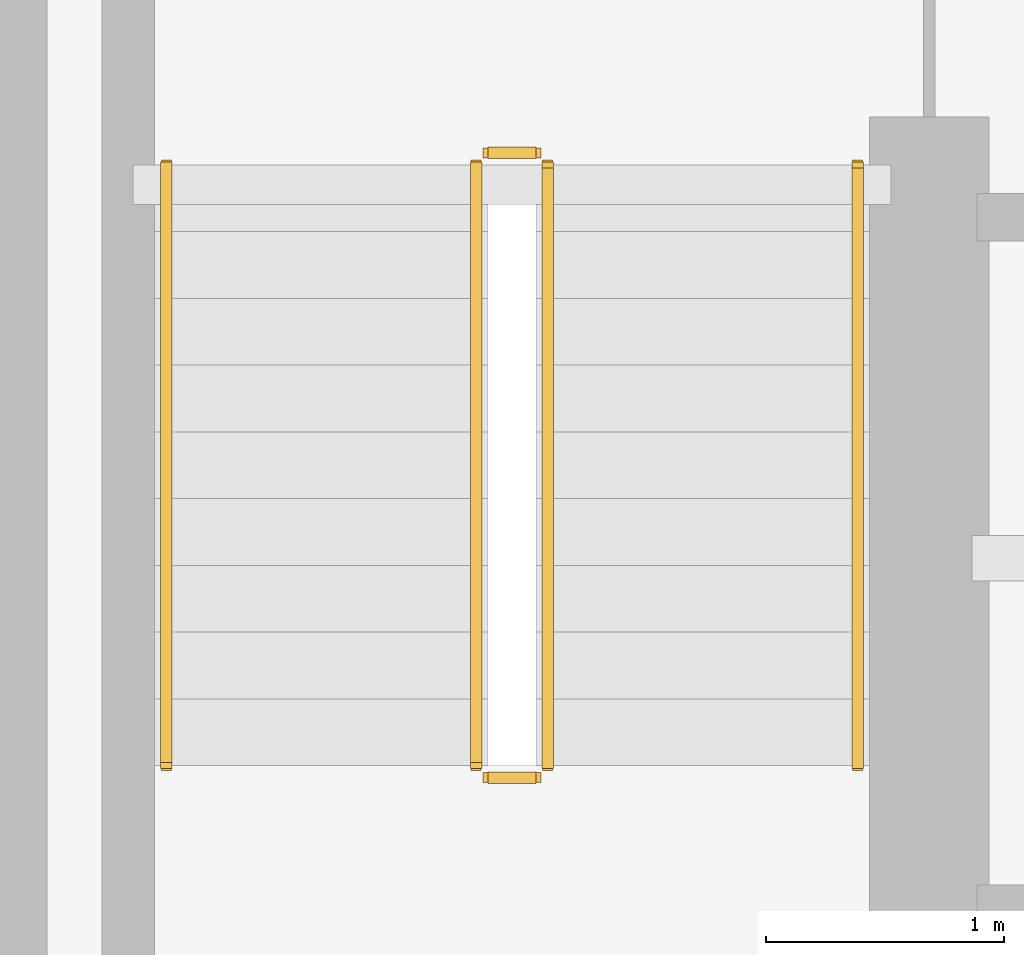
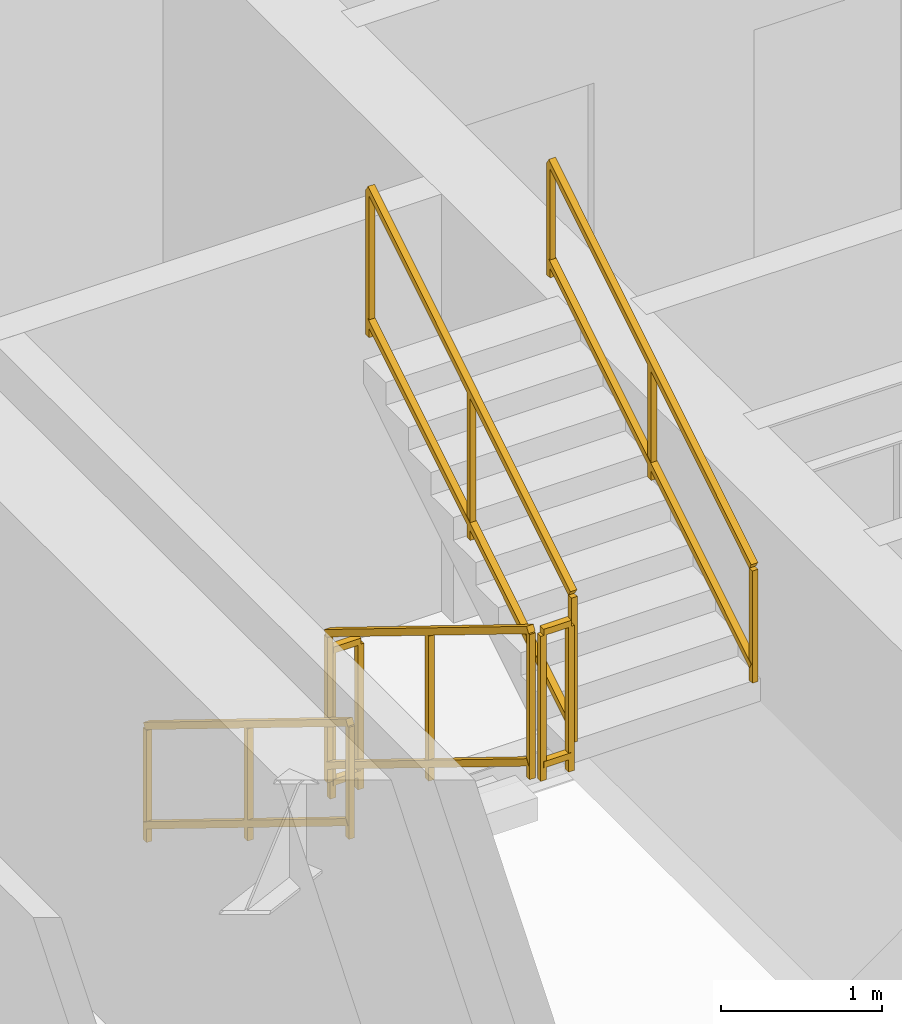
# One storey, part 28 of 30: 6 railings.
"""IFC4 building model written with IfcOpenShell, lengths in metres."""

from ifc_helpers import new_model, si_unit, direction, frame, origin, origin_2d, place, context, subcontext, project, spatial, rectangle, extrude, material, type_object, element, save


model = new_model("IFC4")

# Units and contexts
model_context = context("Model", 3, precision=1e-05, world=origin(), true_north=direction((0.0, 1.0)))
body_context = subcontext(model_context, "Body", "Model", "MODEL_VIEW")
ifc_project = project(units=[si_unit("LENGTHUNIT", "METRE"), si_unit("AREAUNIT", "SQUARE_METRE"), si_unit("VOLUMEUNIT", "CUBIC_METRE"), si_unit("PLANEANGLEUNIT", "RADIAN"), si_unit("MASSUNIT", "GRAM", prefix="KILO")], contexts=[model_context])

# Site, building, storey
site_placement = place(None, origin())
site = spatial("IfcSite", under=ifc_project, at=site_placement, CompositionType="ELEMENT")
building_placement = place(site_placement, origin())
building = spatial("IfcBuilding", under=site, at=building_placement, Name="Qarnah Convention Tower", CompositionType="ELEMENT")
storey_placement = place(building_placement, frame((0.0, 0.0, 79.800048828125)))
storey = spatial("IfcBuildingStorey", under=building, at=storey_placement, Name="L20", CompositionType="ELEMENT", Elevation=79.800048828125)

# Railings
ifc_material = material(Name="Structural steel S355JR", Category="steel")
railing_type_1 = type_object("IfcRailingType", Name="RL-STAIR-GUARD-1150", PredefinedType="GUARDRAIL", material=ifc_material)
railing_1_placement = place(storey_placement, frame((28.89990234375, 25.300048828125, 0.17236328125)))
element("IfcRailing", 1, at=railing_1_placement, inside=storey, type_object=railing_type_1, Name="L20 ST-1 stair guard 1", PredefinedType="GUARDRAIL", context=body_context, shape_type="SweptSolid", body=[
    extrude(rectangle(XDim=0.048095703125, YDim=0.048095703125, at=origin_2d()), frame((0.0, 0.0, 1.1259765625), z_axis=(0.0, -0.851400495292, 0.524516154772), x_axis=(1.0, 0.0, 0.0)), (0.0, 0.0, 1.0), 2.9599609375),
    extrude(rectangle(XDim=0.048095703125, YDim=0.048095703125, at=origin_2d()), frame((0.0, 0.0, 0.1201171875), z_axis=(0.0, -0.851400495292, 0.524516154772), x_axis=(1.0, 0.0, 0.0)), (0.0, 0.0, 1.0), 2.9599609375),
    extrude(rectangle(XDim=0.0419921875, YDim=0.0419921875, at=origin_2d()), origin(), (0.0, 0.0, 1.0), 1.101806640625),
    extrude(rectangle(XDim=0.0419921875, YDim=0.0419921875, at=origin_2d()), frame((0.0, -1.260009765625, 0.7763671875)), (0.0, 0.0, 1.0), 1.101806640625),
    extrude(rectangle(XDim=0.0419921875, YDim=0.0419921875, at=origin_2d()), frame((0.0, -2.52001953125, 1.552490234375)), (0.0, 0.0, 1.0), 1.101806640625),
])
railing_2_placement = place(storey_placement, frame((28.949951171875, 22.72998046875, 1.724853515625)))
element("IfcRailing", 2, at=railing_2_placement, inside=storey, type_object=railing_type_1, Name="L20 ST-1 stair guard 2", PredefinedType="GUARDRAIL", context=body_context, shape_type="SweptSolid", body=[
    extrude(rectangle(XDim=0.048095703125, YDim=0.048095703125, at=origin_2d()), frame((0.0, 0.0, 1.1259765625), z_axis=(1.0, 0.0, 0.0), x_axis=(0.0, 1.0, 0.0)), (0.0, 0.0, 1.0), 0.199951171875),
    extrude(rectangle(XDim=0.048095703125, YDim=0.048095703125, at=origin_2d()), frame((0.0, 0.0, 0.1201171875), z_axis=(1.0, 0.0, 0.0), x_axis=(0.0, 1.0, 0.0)), (0.0, 0.0, 1.0), 0.199951171875),
    extrude(rectangle(XDim=0.0419921875, YDim=0.0419921875, at=origin_2d()), origin(), (0.0, 0.0, 1.0), 1.101806640625),
    extrude(rectangle(XDim=0.0419921875, YDim=0.0419921875, at=origin_2d()), frame((0.199951171875, 0.0, 0.0)), (0.0, 0.0, 1.0), 1.101806640625),
])
railing_3_placement = place(storey_placement, frame((29.199951171875, 22.780029296875, 1.8974609375)))
element("IfcRailing", 3, at=railing_3_placement, inside=storey, type_object=railing_type_1, Name="L20 ST-1 stair guard 3", PredefinedType="GUARDRAIL", context=body_context, shape_type="SweptSolid", body=[
    extrude(rectangle(XDim=0.048095703125, YDim=0.048095703125, at=origin_2d()), frame((0.0, 0.0, 1.1259765625), z_axis=(0.0, 0.851400495292, 0.524516154772), x_axis=(-1.0, 0.0, 0.0)), (0.0, 0.0, 1.0), 2.9599609375),
    extrude(rectangle(XDim=0.048095703125, YDim=0.048095703125, at=origin_2d()), frame((0.0, 0.0, 0.1201171875), z_axis=(0.0, 0.851400495292, 0.524516154772), x_axis=(-1.0, 0.0, 0.0)), (0.0, 0.0, 1.0), 2.9599609375),
    extrude(rectangle(XDim=0.0419921875, YDim=0.0419921875, at=origin_2d()), origin(), (0.0, 0.0, 1.0), 1.101806640625),
    extrude(rectangle(XDim=0.0419921875, YDim=0.0419921875, at=origin_2d()), frame((0.0, 1.260009765625, 0.7763671875)), (0.0, 0.0, 1.0), 1.101806640625),
    extrude(rectangle(XDim=0.0419921875, YDim=0.0419921875, at=origin_2d()), frame((0.0, 2.52001953125, 1.552490234375)), (0.0, 0.0, 1.0), 1.101806640625),
])
railing_4_placement = place(storey_placement, frame((28.949951171875, 25.35009765625, 0.0)))
element("IfcRailing", 4, at=railing_4_placement, inside=storey, type_object=railing_type_1, Name="L20 ST-1 stair guard 4", PredefinedType="GUARDRAIL", context=body_context, shape_type="SweptSolid", body=[
    extrude(rectangle(XDim=0.048095703125, YDim=0.048095703125, at=origin_2d()), frame((0.0, 0.0, 1.1259765625), z_axis=(1.0, 0.0, 0.0), x_axis=(0.0, 1.0, 0.0)), (0.0, 0.0, 1.0), 0.199951171875),
    extrude(rectangle(XDim=0.048095703125, YDim=0.048095703125, at=origin_2d()), frame((0.0, 0.0, 0.1201171875), z_axis=(1.0, 0.0, 0.0), x_axis=(0.0, 1.0, 0.0)), (0.0, 0.0, 1.0), 0.199951171875),
    extrude(rectangle(XDim=0.0419921875, YDim=0.0419921875, at=origin_2d()), origin(), (0.0, 0.0, 1.0), 1.101806640625),
    extrude(rectangle(XDim=0.0419921875, YDim=0.0419921875, at=origin_2d()), frame((0.199951171875, 0.0, 0.0)), (0.0, 0.0, 1.0), 1.101806640625),
])
railing_type_2 = type_object("IfcRailingType", Name="RL-STAIR-HAND-900", PredefinedType="HANDRAIL", material=ifc_material)
railing_5_placement = place(storey_placement, frame((27.60009765625, 25.300048828125, 0.17236328125)))
element("IfcRailing", 5, at=railing_5_placement, inside=storey, type_object=railing_type_2, Name="L20 ST-1 stair handrail 1", PredefinedType="HANDRAIL", context=body_context, shape_type="SweptSolid", body=[
    extrude(rectangle(XDim=0.048095703125, YDim=0.048095703125, at=origin_2d()), frame((0.0, 0.0, 0.8759765625), z_axis=(0.0, -0.851400495292, 0.524516154772), x_axis=(1.0, 0.0, 0.0)), (0.0, 0.0, 1.0), 2.9599609375),
    extrude(rectangle(XDim=0.048095703125, YDim=0.048095703125, at=origin_2d()), frame((0.0, 0.0, 0.1201171875), z_axis=(0.0, -0.851400495292, 0.524516154772), x_axis=(1.0, 0.0, 0.0)), (0.0, 0.0, 1.0), 2.9599609375),
    extrude(rectangle(XDim=0.0419921875, YDim=0.0419921875, at=origin_2d()), origin(), (0.0, 0.0, 1.0), 0.851806640625),
    extrude(rectangle(XDim=0.0419921875, YDim=0.0419921875, at=origin_2d()), frame((0.0, -1.260009765625, 0.7763671875)), (0.0, 0.0, 1.0), 0.851806640625),
    extrude(rectangle(XDim=0.0419921875, YDim=0.0419921875, at=origin_2d()), frame((0.0, -2.52001953125, 1.552490234375)), (0.0, 0.0, 1.0), 0.851806640625),
])
railing_6_placement = place(storey_placement, frame((30.5, 22.780029296875, 1.8974609375)))
element("IfcRailing", 6, at=railing_6_placement, inside=storey, type_object=railing_type_2, Name="L20 ST-1 stair handrail 2", PredefinedType="HANDRAIL", context=body_context, shape_type="SweptSolid", body=[
    extrude(rectangle(XDim=0.048095703125, YDim=0.048095703125, at=origin_2d()), frame((0.0, 0.0, 0.8759765625), z_axis=(0.0, 0.851400495292, 0.524516154772), x_axis=(-1.0, 0.0, 0.0)), (0.0, 0.0, 1.0), 2.9599609375),
    extrude(rectangle(XDim=0.048095703125, YDim=0.048095703125, at=origin_2d()), frame((0.0, 0.0, 0.1201171875), z_axis=(0.0, 0.851400495292, 0.524516154772), x_axis=(-1.0, 0.0, 0.0)), (0.0, 0.0, 1.0), 2.9599609375),
    extrude(rectangle(XDim=0.0419921875, YDim=0.0419921875, at=origin_2d()), origin(), (0.0, 0.0, 1.0), 0.851806640625),
    extrude(rectangle(XDim=0.0419921875, YDim=0.0419921875, at=origin_2d()), frame((0.0, 1.260009765625, 0.7763671875)), (0.0, 0.0, 1.0), 0.851806640625),
    extrude(rectangle(XDim=0.0419921875, YDim=0.0419921875, at=origin_2d()), frame((0.0, 2.52001953125, 1.552490234375)), (0.0, 0.0, 1.0), 0.851806640625),
])

save(model, "model.ifc")
